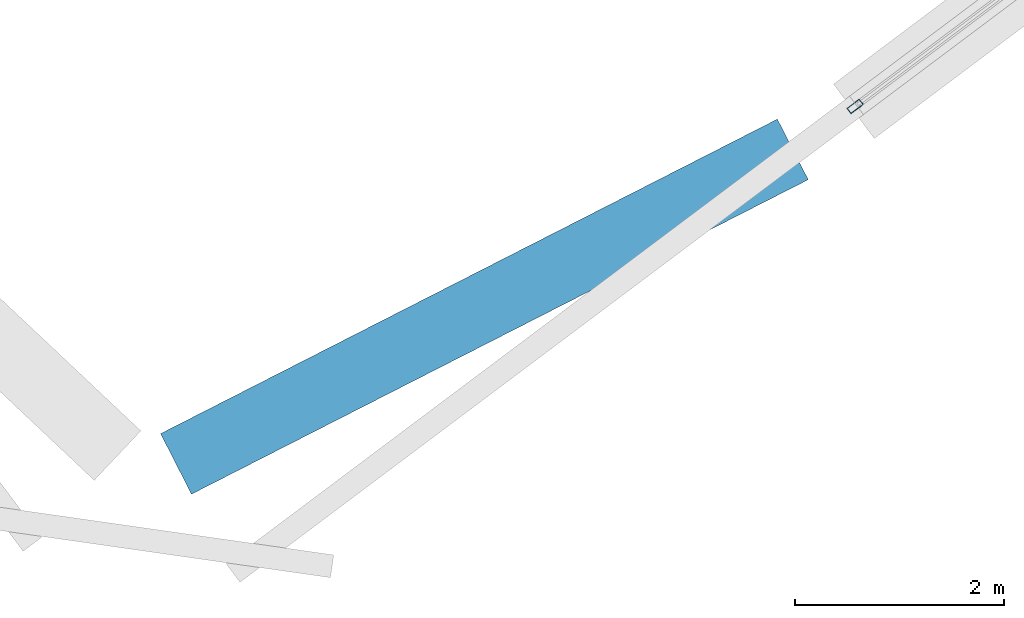
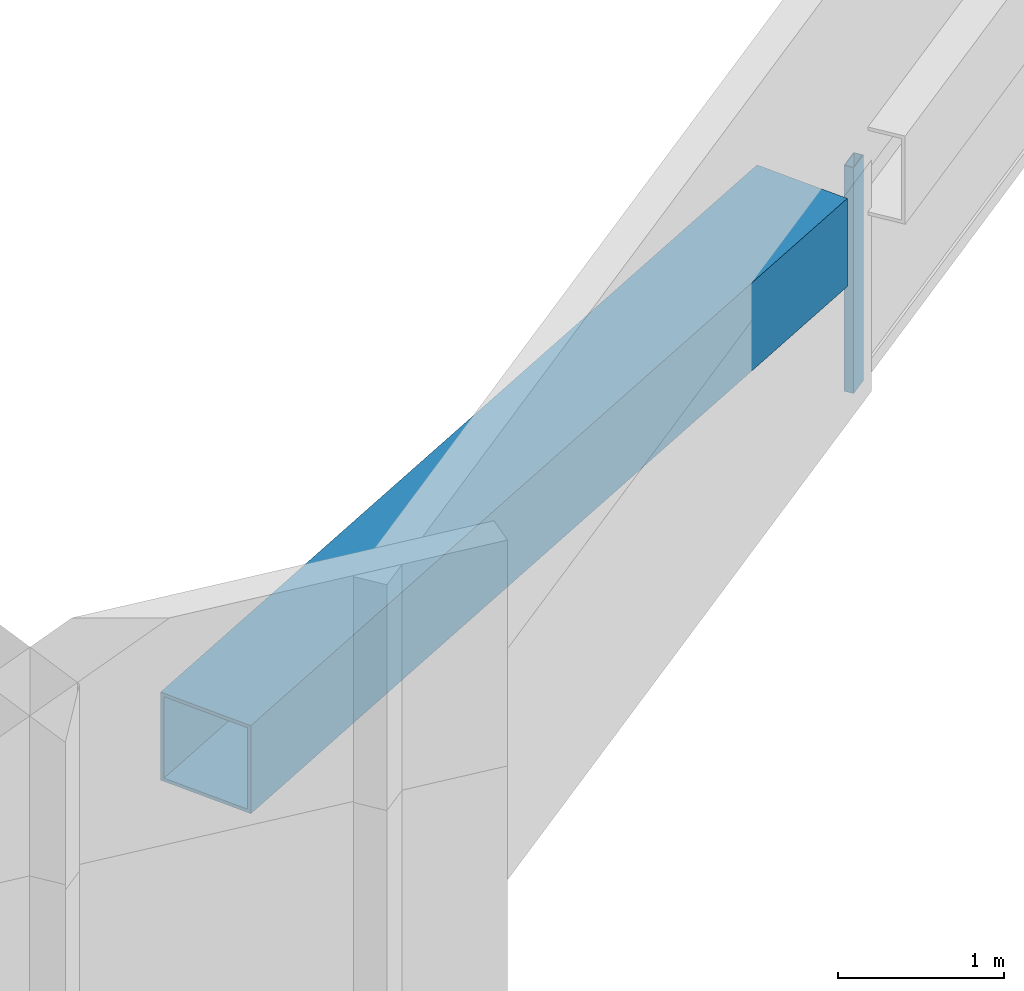
# One storey, part 16 of 31: 1 beam, 1 member, 1 element without a shape of its own.
"""IFC4 building model written with IfcOpenShell, lengths in metres."""

from ifc_helpers import new_model, si_unit, direction, frame, origin, origin_2d, place, context, subcontext, project, spatial, hollow_rectangle, extrude, material, material_profile, profile_set, type_object, element, aggregate, save


model = new_model("IFC4")

# Units and contexts
model_context = context("Model", 3, precision=1e-05, world=origin(), true_north=direction((0.0, 1.0)))
body_context = subcontext(model_context, "Body", "Model", "MODEL_VIEW")
ifc_project = project(units=[si_unit("LENGTHUNIT", "METRE"), si_unit("AREAUNIT", "SQUARE_METRE"), si_unit("VOLUMEUNIT", "CUBIC_METRE"), si_unit("PLANEANGLEUNIT", "RADIAN"), si_unit("MASSUNIT", "GRAM", prefix="KILO")], contexts=[model_context])

# Site, building, storey
site_placement = place(None, origin())
site = spatial("IfcSite", under=ifc_project, at=site_placement, CompositionType="ELEMENT")
building_placement = place(site_placement, origin())
building = spatial("IfcBuilding", under=site, at=building_placement, Name="Tashvorn Skyway Center", CompositionType="ELEMENT")
storey_placement = place(building_placement, frame((0.0, 0.0, 266.949951171875)))
storey = spatial("IfcBuildingStorey", under=building, at=storey_placement, Name="L72", CompositionType="ELEMENT", Elevation=266.949951171875)

# Beam
ifc_material_1 = material(Name="Steel ASTM A572 Grade 50", Category="steel")
ifc_material_profile_1 = material_profile(ifc_material_1, hollow_rectangle(XDim=0.64990234375, YDim=0.64990234375, WallThickness=0.02490234375, at=origin_2d()), Name="BOX650x650x25")
ifc_profile_set_1 = profile_set([ifc_material_profile_1], Name="Steel ASTM A572 Grade 50")
beam_type = type_object("IfcBeamType", Name="BM-BEAM-BOX650x650x25", PredefinedType="BEAM", material=ifc_profile_set_1)
beam_placement = place(storey_placement, frame((111.787353515625, 14.516845703125, 3.08349609375), z_axis=(0.890849939668, 0.454297683235, 0.0), x_axis=(-0.454297683235, 0.890849939668, 0.0)))
element("IfcBeam", 1, at=beam_placement, inside=storey, type_object=beam_type, Name="CROWN FRAME Tower 2 Upper-Tier Ring Beam 01", PredefinedType="BEAM", context=body_context, shape_type="SweptSolid", body=[
    extrude(hollow_rectangle(XDim=0.64990234375, YDim=0.64990234375, WallThickness=0.02490234375, at=origin_2d()), origin(), (0.0, 0.0, 1.0), 6.61767578125),
])

# Curtain wall, member
ifc_material_2 = material(Name="Thermally broken bronze-anodized aluminium 6063-T6", Category="aluminium")
curtain_wall_type = type_object("IfcCurtainWallType", Name="CW-CW-SKY", PredefinedType="NOTDEFINED", material=ifc_material_2)
curtain_wall_placement = place(storey_placement, origin())
curtain_wall = element("IfcCurtainWall", 2, at=curtain_wall_placement, inside=storey, type_object=curtain_wall_type, Name="CROWN Lantern Fritted Curtain Wall T2 S-4", PredefinedType="NOTDEFINED")
ifc_material_profile_2 = material_profile(ifc_material_2, hollow_rectangle(XDim=0.06494140625, YDim=0.14990234375, WallThickness=0.00390625, at=origin_2d()), Name="ALU-MULL-65x150")
ifc_profile_set_2 = profile_set([ifc_material_profile_2], Name="Thermally broken bronze-anodized aluminium 6063-T6")
member_type = type_object("IfcMemberType", Name="CWM-CW-SKY", PredefinedType="MULLION", material=ifc_profile_set_2)
member_placement = place(storey_placement, frame((118.278076171875, 17.93359375, 1.445068359375), z_axis=(0.0, 0.0, 1.0), x_axis=(0.600000000002, -0.799999999998, 0.0)))
member = element("IfcMember", 3, at=member_placement, type_object=member_type, Name="CW-SKY mullion 3", PredefinedType="MULLION", context=body_context, shape_type="SweptSolid", body=[
    extrude(hollow_rectangle(XDim=0.06494140625, YDim=0.14990234375, WallThickness=0.00390625, at=origin_2d()), origin(), (0.0, 0.0, 1.0), 1.6650390625),
])
aggregate(curtain_wall, [member])

save(model, "model.ifc")
